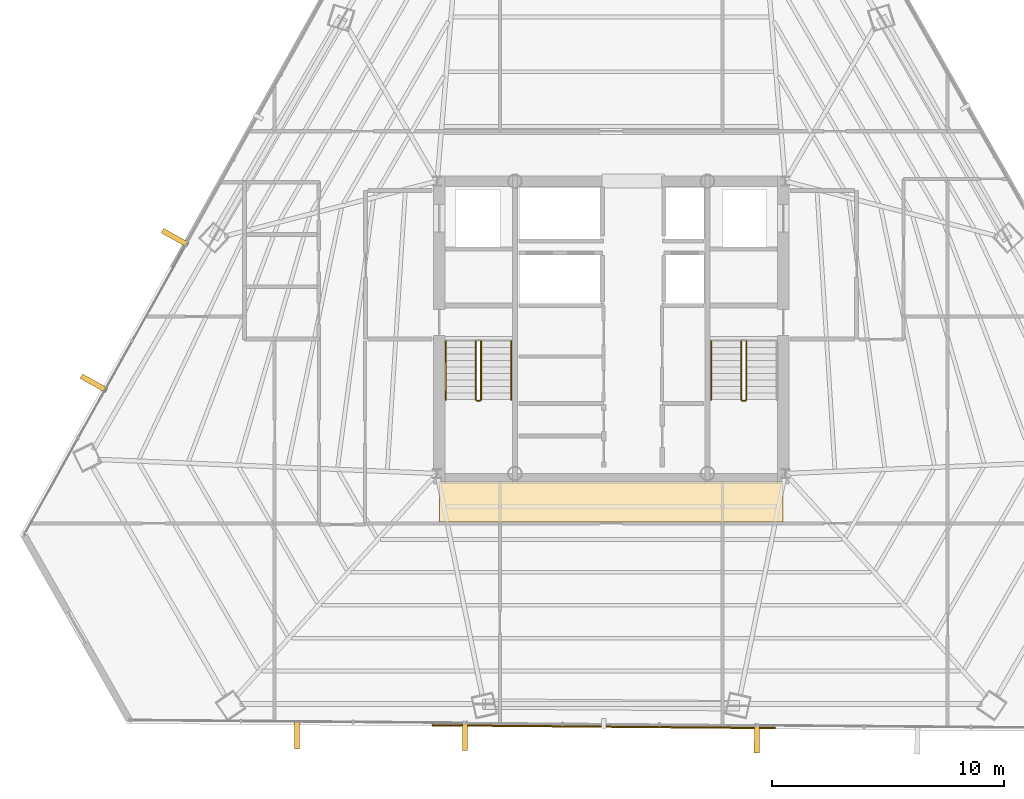
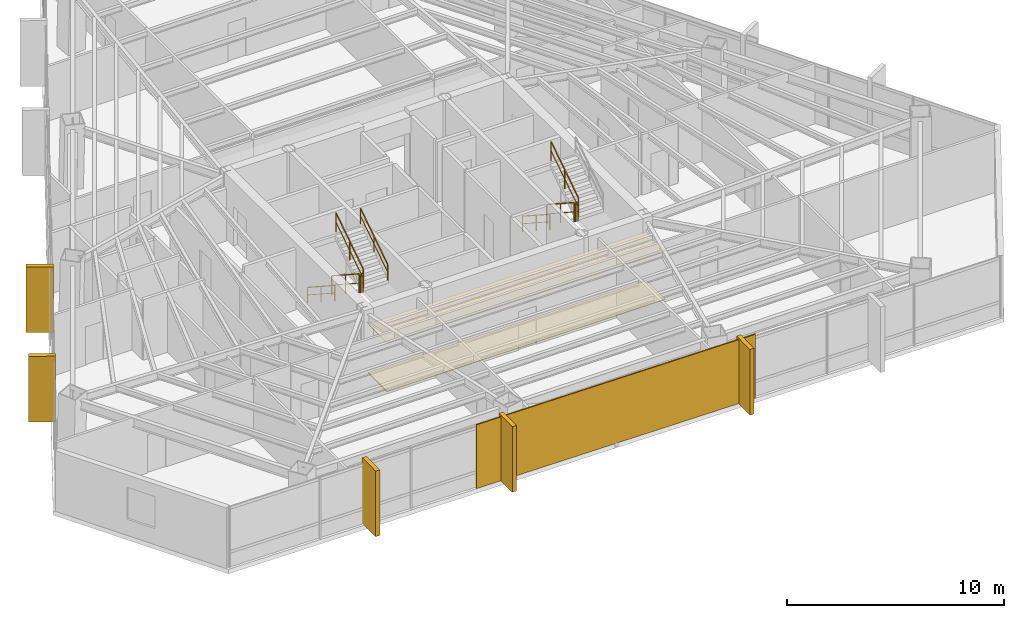
# One storey, part 36 of 38: 9 railings, 7 coverings, 1 shading device.
"""IFC4 building model written with IfcOpenShell, lengths in metres."""

from ifc_helpers import new_model, si_unit, direction, frame, origin, origin_2d, place, context, subcontext, project, spatial, polyline, rectangle, outline, extrude, source, transform, mapped, material, layer, layer_set, type_object, type_shapes, element, save


model = new_model("IFC4")

# Units and contexts
model_context = context("Model", 3, precision=1e-05, world=origin(), true_north=direction((0.0, 1.0)))
body_context = subcontext(model_context, "Body", "Model", "MODEL_VIEW")
ifc_project = project(units=[si_unit("LENGTHUNIT", "METRE"), si_unit("AREAUNIT", "SQUARE_METRE"), si_unit("VOLUMEUNIT", "CUBIC_METRE"), si_unit("PLANEANGLEUNIT", "RADIAN"), si_unit("MASSUNIT", "GRAM", prefix="KILO")], contexts=[model_context])

# Site, building, storey
site_placement = place(None, origin())
site = spatial("IfcSite", under=ifc_project, at=site_placement, CompositionType="ELEMENT")
building_placement = place(site_placement, origin())
building = spatial("IfcBuilding", under=site, at=building_placement, Name="Caelisora Broadcast Tower", CompositionType="ELEMENT")
storey_placement = place(building_placement, frame((0.0, 0.0, 158.5)))
storey = spatial("IfcBuildingStorey", under=building, at=storey_placement, Name="L41", CompositionType="ELEMENT", Elevation=158.5)

# Coverings
ifc_material_1 = material(Name="Perforated Mineral-Fibre Acoustic Ceiling Tile", Category="gypsum")
ifc_layer_1 = layer(ifc_material_1, 0.034912109375, Name="Perforated Mineral-Fibre Acoustic Ceiling Tile")
ifc_layer_set_1 = layer_set([ifc_layer_1], Name="Perforated Mineral-Fibre Acoustic Ceiling Tile")
covering_type_1 = type_object("IfcCoveringType", Name="CE-1", PredefinedType="CEILING", material=ifc_layer_set_1)
covering_1_placement = place(storey_placement, frame((0.0, 0.0, 2.75)))
element("IfcCovering", 1, at=covering_1_placement, inside=storey, type_object=covering_type_1, Name="L41 acoustic corridor ceiling CE-1 (S)", PredefinedType="CEILING", context=body_context, shape_type="SweptSolid", body=[
    extrude(outline(polyline([(30.60009765625, 15.300048828125), (45.39990234375, 15.300048828125), (45.39990234375, 17.050048828125), (30.60009765625, 17.050048828125), (30.60009765625, 15.300048828125)])), origin(), (0.0, 0.0, 1.0), 0.034912109375),
])
ifc_material_2 = material(Name="Anti-Static Broadcast Raised Access Floor Panel", Category="steel")
ifc_layer_2 = layer(ifc_material_2, 0.044921875, Name="Anti-Static Broadcast Raised Access Floor Panel")
ifc_layer_set_2 = layer_set([ifc_layer_2], Name="Anti-Static Broadcast Raised Access Floor Panel")
covering_type_2 = type_object("IfcCoveringType", Name="FL-1", PredefinedType="FLOORING", material=ifc_layer_set_2)
covering_2_placement = place(storey_placement, origin())
element("IfcCovering", 2, at=covering_2_placement, inside=storey, type_object=covering_type_2, Name="L41 broadcast raised access floor FL-1 (S)", PredefinedType="FLOORING", context=body_context, shape_type="SweptSolid", body=[
    extrude(outline(polyline([(30.60009765625, 15.300048828125), (45.39990234375, 15.300048828125), (45.39990234375, 17.050048828125), (30.60009765625, 17.050048828125), (30.60009765625, 15.300048828125)])), origin(), (0.0, 0.0, 1.0), 0.044921875),
])

# Railings
ifc_material_3 = material(Name="Galvanised Steel Safety Guardrail", Category="steel")
ifc_layer_3 = layer(ifc_material_3, 0.048095703125, Name="Galvanised Steel Safety Guardrail")
ifc_layer_set_3 = layer_set([ifc_layer_3], Name="Galvanised Steel Safety Guardrail")
railing_type_1 = type_object("IfcRailingType", Name="GR-1", PredefinedType="GUARDRAIL", material=ifc_layer_set_3)
railing_1_placement = place(storey_placement, frame((32.169921875, 23.10009765625, 0.1826171875)))
element("IfcRailing", 3, at=railing_1_placement, inside=storey, type_object=railing_type_1, Name="L41 ST-1 stair guard 1", PredefinedType="GUARDRAIL", context=body_context, shape_type="SweptSolid", body=[
    extrude(rectangle(XDim=0.048095703125, YDim=0.048095703125, at=origin_2d()), frame((0.0, 0.0, 1.076171875), z_axis=(0.0, -0.837786554691, 0.545997883492), x_axis=(1.0, 0.0, 0.0)), (0.0, 0.0, 1.0), 3.008056640625),
    extrude(rectangle(XDim=0.03125, YDim=0.03125, at=origin_2d()), frame((0.0, 0.0, 0.550048828125), z_axis=(0.0, -0.837786554691, 0.545997883492), x_axis=(1.0, 0.0, 0.0)), (0.0, 0.0, 1.0), 3.008056640625),
    extrude(rectangle(XDim=0.0419921875, YDim=0.0419921875, at=origin_2d()), origin(), (0.0, 0.0, 1.0), 1.052001953125),
    extrude(rectangle(XDim=0.0419921875, YDim=0.0419921875, at=origin_2d()), frame((0.0, -1.260009765625, 0.8212890625)), (0.0, 0.0, 1.0), 1.052001953125),
    extrude(rectangle(XDim=0.0419921875, YDim=0.0419921875, at=origin_2d()), frame((0.0, -2.52001953125, 1.642333984375)), (0.0, 0.0, 1.0), 1.052001953125),
])
railing_2_placement = place(storey_placement, frame((32.219970703125, 20.530029296875, 1.824951171875)))
element("IfcRailing", 4, at=railing_2_placement, inside=storey, type_object=railing_type_1, Name="L41 ST-1 stair guard 2", PredefinedType="GUARDRAIL", context=body_context, shape_type="SweptSolid", body=[
    extrude(rectangle(XDim=0.048095703125, YDim=0.048095703125, at=origin_2d()), frame((0.0, 0.0, 1.076171875), z_axis=(1.0, 0.0, 0.0), x_axis=(0.0, 1.0, 0.0)), (0.0, 0.0, 1.0), 0.1201171875),
    extrude(rectangle(XDim=0.03125, YDim=0.03125, at=origin_2d()), frame((0.0, 0.0, 0.550048828125), z_axis=(1.0, 0.0, 0.0), x_axis=(0.0, 1.0, 0.0)), (0.0, 0.0, 1.0), 0.1201171875),
    extrude(rectangle(XDim=0.0419921875, YDim=0.0419921875, at=origin_2d()), origin(), (0.0, 0.0, 1.0), 1.052001953125),
    extrude(rectangle(XDim=0.0419921875, YDim=0.0419921875, at=origin_2d()), frame((0.1201171875, 0.0, 0.0)), (0.0, 0.0, 1.0), 1.052001953125),
])
railing_3_placement = place(storey_placement, frame((32.389892578125, 20.580078125, 2.007568359375)))
element("IfcRailing", 5, at=railing_3_placement, inside=storey, type_object=railing_type_1, Name="L41 ST-1 stair guard 3", PredefinedType="GUARDRAIL", context=body_context, shape_type="SweptSolid", body=[
    extrude(rectangle(XDim=0.048095703125, YDim=0.048095703125, at=origin_2d()), frame((0.0, 0.0, 1.076171875), z_axis=(0.0, 0.837786554691, 0.545997883492), x_axis=(-1.0, 0.0, 0.0)), (0.0, 0.0, 1.0), 3.008056640625),
    extrude(rectangle(XDim=0.03125, YDim=0.03125, at=origin_2d()), frame((0.0, 0.0, 0.550048828125), z_axis=(0.0, 0.837786554691, 0.545997883492), x_axis=(-1.0, 0.0, 0.0)), (0.0, 0.0, 1.0), 3.008056640625),
    extrude(rectangle(XDim=0.0419921875, YDim=0.0419921875, at=origin_2d()), origin(), (0.0, 0.0, 1.0), 1.052001953125),
    extrude(rectangle(XDim=0.0419921875, YDim=0.0419921875, at=origin_2d()), frame((0.0, 1.260009765625, 0.8212890625)), (0.0, 0.0, 1.0), 1.052001953125),
    extrude(rectangle(XDim=0.0419921875, YDim=0.0419921875, at=origin_2d()), frame((0.0, 2.52001953125, 1.642333984375)), (0.0, 0.0, 1.0), 1.052001953125),
])
railing_4_placement = place(storey_placement, frame((43.610107421875, 23.10009765625, 0.1826171875)))
element("IfcRailing", 6, at=railing_4_placement, inside=storey, type_object=railing_type_1, Name="L41 ST-2 stair guard 1", PredefinedType="GUARDRAIL", context=body_context, shape_type="SweptSolid", body=[
    extrude(rectangle(XDim=0.048095703125, YDim=0.048095703125, at=origin_2d()), frame((0.0, 0.0, 1.076171875), z_axis=(0.0, -0.837786554691, 0.545997883492), x_axis=(1.0, 0.0, 0.0)), (0.0, 0.0, 1.0), 3.008056640625),
    extrude(rectangle(XDim=0.03125, YDim=0.03125, at=origin_2d()), frame((0.0, 0.0, 0.550048828125), z_axis=(0.0, -0.837786554691, 0.545997883492), x_axis=(1.0, 0.0, 0.0)), (0.0, 0.0, 1.0), 3.008056640625),
    extrude(rectangle(XDim=0.0419921875, YDim=0.0419921875, at=origin_2d()), origin(), (0.0, 0.0, 1.0), 1.052001953125),
    extrude(rectangle(XDim=0.0419921875, YDim=0.0419921875, at=origin_2d()), frame((0.0, -1.260009765625, 0.8212890625)), (0.0, 0.0, 1.0), 1.052001953125),
    extrude(rectangle(XDim=0.0419921875, YDim=0.0419921875, at=origin_2d()), frame((0.0, -2.52001953125, 1.642333984375)), (0.0, 0.0, 1.0), 1.052001953125),
])
railing_5_placement = place(storey_placement, frame((43.659912109375, 20.530029296875, 1.824951171875)))
element("IfcRailing", 7, at=railing_5_placement, inside=storey, type_object=railing_type_1, Name="L41 ST-2 stair guard 2", PredefinedType="GUARDRAIL", context=body_context, shape_type="SweptSolid", body=[
    extrude(rectangle(XDim=0.048095703125, YDim=0.048095703125, at=origin_2d()), frame((0.0, 0.0, 1.076171875), z_axis=(1.0, 0.0, 0.0), x_axis=(0.0, 1.0, 0.0)), (0.0, 0.0, 1.0), 0.1201171875),
    extrude(rectangle(XDim=0.03125, YDim=0.03125, at=origin_2d()), frame((0.0, 0.0, 0.550048828125), z_axis=(1.0, 0.0, 0.0), x_axis=(0.0, 1.0, 0.0)), (0.0, 0.0, 1.0), 0.1201171875),
    extrude(rectangle(XDim=0.0419921875, YDim=0.0419921875, at=origin_2d()), origin(), (0.0, 0.0, 1.0), 1.052001953125),
    extrude(rectangle(XDim=0.0419921875, YDim=0.0419921875, at=origin_2d()), frame((0.1201171875, 0.0, 0.0)), (0.0, 0.0, 1.0), 1.052001953125),
])
railing_6_placement = place(storey_placement, frame((43.830078125, 20.580078125, 2.007568359375)))
element("IfcRailing", 8, at=railing_6_placement, inside=storey, type_object=railing_type_1, Name="L41 ST-2 stair guard 3", PredefinedType="GUARDRAIL", context=body_context, shape_type="SweptSolid", body=[
    extrude(rectangle(XDim=0.048095703125, YDim=0.048095703125, at=origin_2d()), frame((0.0, 0.0, 1.076171875), z_axis=(0.0, 0.837786554691, 0.545997883492), x_axis=(-1.0, 0.0, 0.0)), (0.0, 0.0, 1.0), 3.008056640625),
    extrude(rectangle(XDim=0.03125, YDim=0.03125, at=origin_2d()), frame((0.0, 0.0, 0.550048828125), z_axis=(0.0, 0.837786554691, 0.545997883492), x_axis=(-1.0, 0.0, 0.0)), (0.0, 0.0, 1.0), 3.008056640625),
    extrude(rectangle(XDim=0.0419921875, YDim=0.0419921875, at=origin_2d()), origin(), (0.0, 0.0, 1.0), 1.052001953125),
    extrude(rectangle(XDim=0.0419921875, YDim=0.0419921875, at=origin_2d()), frame((0.0, 1.260009765625, 0.8212890625)), (0.0, 0.0, 1.0), 1.052001953125),
    extrude(rectangle(XDim=0.0419921875, YDim=0.0419921875, at=origin_2d()), frame((0.0, 2.52001953125, 1.642333984375)), (0.0, 0.0, 1.0), 1.052001953125),
])
ifc_material_4 = material(Name="Stainless Steel Grade 316 Tubular Handrail", Category="steel")
ifc_layer_4 = layer(ifc_material_4, 0.048095703125, Name="Stainless Steel Grade 316 Tubular Handrail")
ifc_layer_set_4 = layer_set([ifc_layer_4], Name="Stainless Steel Grade 316 Tubular Handrail")
railing_type_2 = type_object("IfcRailingType", Name="HR-1", PredefinedType="HANDRAIL", material=ifc_layer_set_4)
railing_7_placement = place(storey_placement, frame((30.8701171875, 23.10009765625, 0.1826171875)))
element("IfcRailing", 9, at=railing_7_placement, inside=storey, type_object=railing_type_2, Name="L41 ST-1 stair handrail 1", PredefinedType="HANDRAIL", context=body_context, shape_type="SweptSolid", body=[
    extrude(rectangle(XDim=0.048095703125, YDim=0.048095703125, at=origin_2d()), frame((0.0, 0.0, 0.8759765625), z_axis=(0.0, -0.837786554691, 0.545997883492), x_axis=(1.0, 0.0, 0.0)), (0.0, 0.0, 1.0), 3.008056640625),
    extrude(rectangle(XDim=0.03125, YDim=0.03125, at=origin_2d()), frame((0.0, 0.0, 0.449951171875), z_axis=(0.0, -0.837786554691, 0.545997883492), x_axis=(1.0, 0.0, 0.0)), (0.0, 0.0, 1.0), 3.008056640625),
    extrude(rectangle(XDim=0.0419921875, YDim=0.0419921875, at=origin_2d()), origin(), (0.0, 0.0, 1.0), 0.851806640625),
    extrude(rectangle(XDim=0.0419921875, YDim=0.0419921875, at=origin_2d()), frame((0.0, -1.260009765625, 0.8212890625)), (0.0, 0.0, 1.0), 0.851806640625),
    extrude(rectangle(XDim=0.0419921875, YDim=0.0419921875, at=origin_2d()), frame((0.0, -2.52001953125, 1.642333984375)), (0.0, 0.0, 1.0), 0.851806640625),
])
railing_8_placement = place(storey_placement, frame((33.68994140625, 20.580078125, 2.007568359375)))
element("IfcRailing", 10, at=railing_8_placement, inside=storey, type_object=railing_type_2, Name="L41 ST-1 stair handrail 2", PredefinedType="HANDRAIL", context=body_context, shape_type="SweptSolid", body=[
    extrude(rectangle(XDim=0.048095703125, YDim=0.048095703125, at=origin_2d()), frame((0.0, 0.0, 0.8759765625), z_axis=(0.0, 0.837786554691, 0.545997883492), x_axis=(-1.0, 0.0, 0.0)), (0.0, 0.0, 1.0), 3.008056640625),
    extrude(rectangle(XDim=0.03125, YDim=0.03125, at=origin_2d()), frame((0.0, 0.0, 0.449951171875), z_axis=(0.0, 0.837786554691, 0.545997883492), x_axis=(-1.0, 0.0, 0.0)), (0.0, 0.0, 1.0), 3.008056640625),
    extrude(rectangle(XDim=0.0419921875, YDim=0.0419921875, at=origin_2d()), origin(), (0.0, 0.0, 1.0), 0.851806640625),
    extrude(rectangle(XDim=0.0419921875, YDim=0.0419921875, at=origin_2d()), frame((0.0, 1.260009765625, 0.8212890625)), (0.0, 0.0, 1.0), 0.851806640625),
    extrude(rectangle(XDim=0.0419921875, YDim=0.0419921875, at=origin_2d()), frame((0.0, 2.52001953125, 1.642333984375)), (0.0, 0.0, 1.0), 0.851806640625),
])
railing_9_placement = place(storey_placement, frame((42.31005859375, 23.10009765625, 0.1826171875)))
element("IfcRailing", 11, at=railing_9_placement, inside=storey, type_object=railing_type_2, Name="L41 ST-2 stair handrail 1", PredefinedType="HANDRAIL", context=body_context, shape_type="SweptSolid", body=[
    extrude(rectangle(XDim=0.048095703125, YDim=0.048095703125, at=origin_2d()), frame((0.0, 0.0, 0.8759765625), z_axis=(0.0, -0.837786554691, 0.545997883492), x_axis=(1.0, 0.0, 0.0)), (0.0, 0.0, 1.0), 3.008056640625),
    extrude(rectangle(XDim=0.03125, YDim=0.03125, at=origin_2d()), frame((0.0, 0.0, 0.449951171875), z_axis=(0.0, -0.837786554691, 0.545997883492), x_axis=(1.0, 0.0, 0.0)), (0.0, 0.0, 1.0), 3.008056640625),
    extrude(rectangle(XDim=0.0419921875, YDim=0.0419921875, at=origin_2d()), origin(), (0.0, 0.0, 1.0), 0.851806640625),
    extrude(rectangle(XDim=0.0419921875, YDim=0.0419921875, at=origin_2d()), frame((0.0, -1.260009765625, 0.8212890625)), (0.0, 0.0, 1.0), 0.851806640625),
    extrude(rectangle(XDim=0.0419921875, YDim=0.0419921875, at=origin_2d()), frame((0.0, -2.52001953125, 1.642333984375)), (0.0, 0.0, 1.0), 0.851806640625),
])

# Coverings
ifc_material_5 = material(Name="Kiln-Fired Terracotta Spandrel Rainscreen Cladding", Category="ceramic")
ifc_layer_5 = layer(ifc_material_5, 0.044921875, Name="Kiln-Fired Terracotta Spandrel Rainscreen Cladding")
ifc_layer_set_5 = layer_set([ifc_layer_5], Name="Kiln-Fired Terracotta Spandrel Rainscreen Cladding")
covering_type_3 = type_object("IfcCoveringType", Name="CL-1", PredefinedType="CLADDING", material=ifc_layer_set_5)
shared_shape_1 = source(origin(), body_context, "Body", "SweptSolid", [
    extrude(rectangle(XDim=0.219970703125, YDim=1.25, at=origin_2d()), origin(), (0.0, 0.0, 1.0), 3.68994140625),
])
type_shapes(covering_type_3, [shared_shape_1])
for number, where, z_axis, x_axis, name in (
    (12, (44.2783203125, 5.985107421875, -0.02001953125), (0.0, 0.0, 1.0), (-0.999964908278, 0.008377482415, 0.0), "L41 vertical solar fin cladding #2-2"),
    (13, (31.698974609375, 6.089599609375, -0.02001953125), (0.0, 0.0, 1.0), (-0.999964908278, 0.008377482415, 0.0), "L41 vertical solar fin cladding #2-3"),
    (14, (24.46728515625, 6.14990234375, -0.02001953125), (0.0, 0.0, 1.0), (-0.999964908278, 0.008377482415, 0.0), "L41 vertical solar fin cladding #2-4"),
    (15, (15.7099609375, 21.290283203125, -0.02001953125), (0.0, 0.0, 1.0), (0.487554922136, 0.873092319232, 0.0), "L41 vertical solar fin cladding #3-1"),
    (16, (19.2119140625, 27.560302734375, -0.02001953125), (0.0, 0.0, 1.0), (0.487554922136, 0.873092319232, 0.0), "L41 vertical solar fin cladding #3-2"),
):
    element("IfcCovering", number, at=place(storey_placement, frame(where, z_axis=z_axis, x_axis=x_axis)), inside=storey, type_object=covering_type_3, Name=name, PredefinedType="CLADDING", context=body_context, shape_type="MappedRepresentation", body=[
        mapped(shared_shape_1, transform((0.0, 0.0, 0.0), scale=1.0)),
    ])

# Shading device
ifc_material_6 = material(Name="Perforated Glazed Terracotta Baguette Solar Screen", Category="ceramic")
ifc_layer_6 = layer(ifc_material_6, 0.06494140625, Name="Perforated Glazed Terracotta Baguette Solar Screen")
ifc_layer_set_6 = layer_set([ifc_layer_6], Name="Perforated Glazed Terracotta Baguette Solar Screen")
shading_device_type = type_object("IfcShadingDeviceType", Name="SS-1", PredefinedType="USERDEFINED", material=ifc_layer_set_6)
shared_shape_2 = source(origin(), body_context, "Body", "SweptSolid", [
    extrude(rectangle(XDim=14.779052734375, YDim=0.06494140625, at=origin_2d()), origin(), (0.0, 0.0, 1.0), 3.590087890625),
])
type_shapes(shading_device_type, [shared_shape_2])
shading_device_placement = place(storey_placement, frame((37.67822265625, 6.489990234375, 0.0), z_axis=(0.0, 0.0, 1.0), x_axis=(0.999964908278, -0.008377482415, 0.0)))
element("IfcShadingDevice", 17, at=shading_device_placement, inside=storey, type_object=shading_device_type, Name="L41 perforated terracotta solar screen #2", ObjectType="SOLAR SCREEN", PredefinedType="USERDEFINED", context=body_context, shape_type="MappedRepresentation", body=[
    mapped(shared_shape_2, transform((0.0, 0.0, 0.0), scale=1.0)),
])

save(model, "model.ifc")
